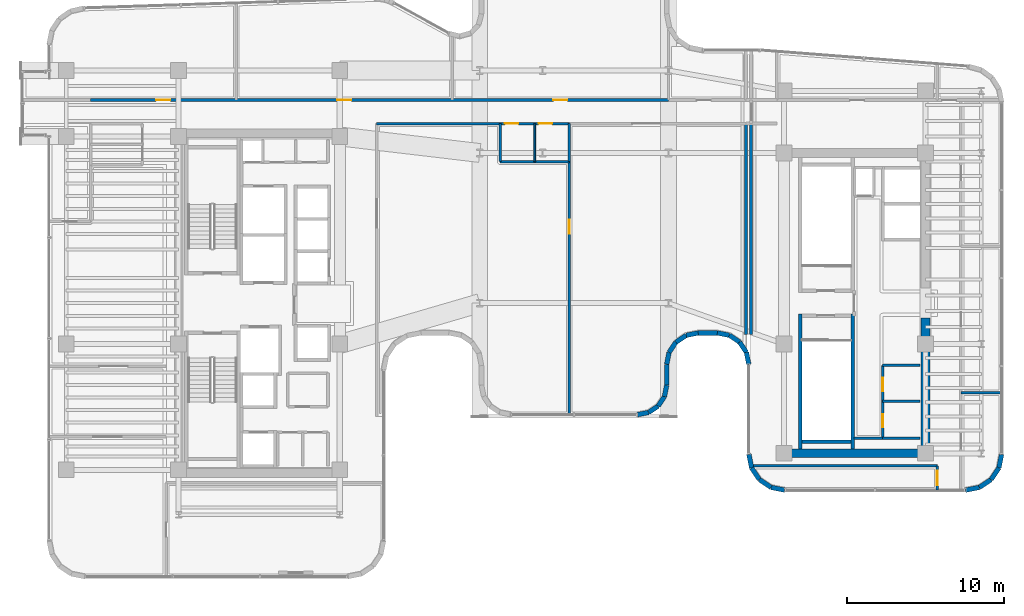
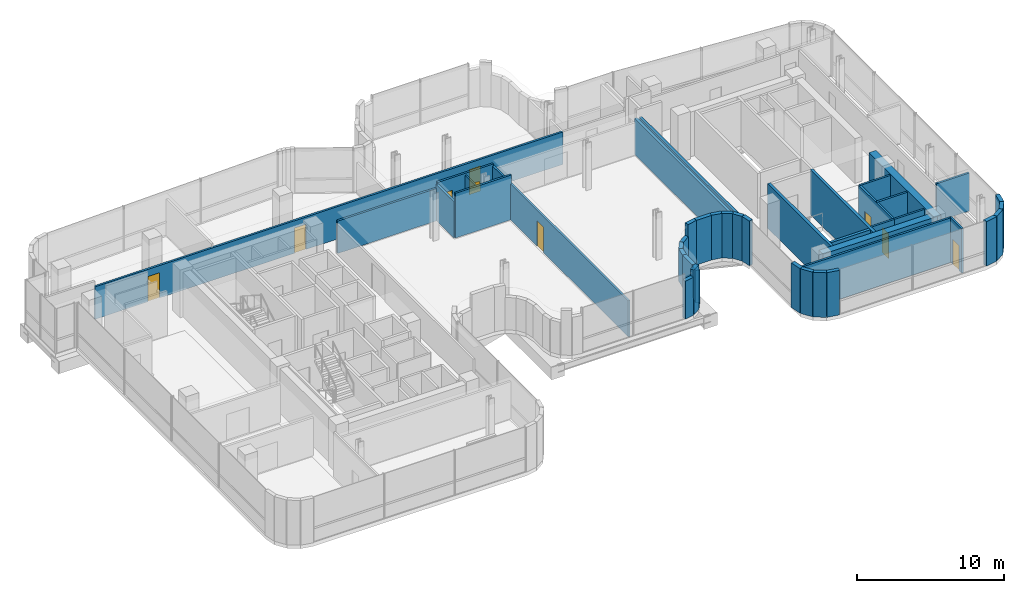
# One storey, part 29 of 35: 45 walls, 9 doors, 9 openings.
"""IFC4 building model written with IfcOpenShell, lengths in metres."""

import ifcopenshell
import ifcopenshell.guid

model = None  # the IFC model being written
_history = None  # IfcOwnerHistory: only IFC2X3 demands one
_inside = {}  # id of a spatial element -> (the spatial element, [elements in it])
_under = {}  # id of a project, library or spatial element -> (it, [spatial elements below it])
_declared = {}  # id of a project -> (the project, [libraries it declares])
_typed = {}  # id of a type object -> (the type object, [elements of that type])
_made_of = {}  # id of a material, layer set ... -> (it, [elements and type objects made of it])


def new_model(schema):
    """Start an empty IFC model of exactly this schema.

    Asked for "IFC4X3", IfcOpenShell would pick the latest addendum, in which some entities
    have other attributes; the version numbers below select the first issue.
    IFC2X3 requires an IfcOwnerHistory on every rooted entity: one is made here for all.
    """
    global model, _history
    if schema == "IFC4X3":
        model = ifcopenshell.file(schema_version=(4, 3, 0, 0))
    else:
        model = ifcopenshell.file(schema=schema)
    _inside.clear()
    _under.clear()
    _declared.clear()
    _typed.clear()
    _made_of.clear()
    _history = None
    if model.schema == "IFC2X3":
        org = make("IfcOrganization", Name="unknown")
        user = make(
            "IfcPersonAndOrganization",
            ThePerson=make("IfcPerson", FamilyName="unknown"),
            TheOrganization=org,
        )
        app = make(
            "IfcApplication",
            ApplicationDeveloper=org,
            Version="unknown",
            ApplicationFullName="unknown",
            ApplicationIdentifier="unknown",
        )
        _history = make(
            "IfcOwnerHistory",
            OwningUser=user,
            OwningApplication=app,
            ChangeAction="ADDED",
            CreationDate=0,
        )
    return model


def make(cls, **values):
    """One entity of the class cls with the attributes given. An attribute that is None is left unset."""
    return model.create_entity(
        cls, **{name: value for name, value in values.items() if value is not None}
    )


def rooted(cls, **values):
    """An entity with a GlobalId (a new one), such as an element, a storey or a relation."""
    return make(cls, GlobalId=ifcopenshell.guid.new(), OwnerHistory=_history, **values)


def si_unit(unit_type, name, prefix=None):
    """IfcSIUnit, for example si_unit("LENGTHUNIT", "METRE", prefix="MILLI")."""
    return make("IfcSIUnit", UnitType=unit_type, Prefix=prefix, Name=name)


def assignment(units):
    """IfcUnitAssignment: the units of a project."""
    return None if units is None else make("IfcUnitAssignment", Units=units)


def point(xyz):
    """IfcCartesianPoint."""
    return None if xyz is None else make("IfcCartesianPoint", Coordinates=xyz)


def direction(xyz):
    """IfcDirection."""
    return None if xyz is None else make("IfcDirection", DirectionRatios=xyz)


def frame(location, z_axis=None, x_axis=None):
    """IfcAxis2Placement3D, a coordinate frame: its origin and axes. An axis left out is left unset."""
    return make(
        "IfcAxis2Placement3D",
        Location=point(location),
        Axis=direction(z_axis),
        RefDirection=direction(x_axis),
    )


def frame_2d(location, x_axis=None):
    """IfcAxis2Placement2D, a coordinate frame in the plane: its origin and x axis."""
    return make(
        "IfcAxis2Placement2D", Location=point(location), RefDirection=direction(x_axis)
    )


def origin():
    """The frame at (0, 0, 0) with its axes left unset."""
    return frame((0.0, 0.0, 0.0))


def place(relative_to, where):
    """IfcLocalPlacement: puts the frame where relative to a parent placement (None: the world)."""
    return make(
        "IfcLocalPlacement", PlacementRelTo=relative_to, RelativePlacement=where
    )


def context(
    kind, dimensions, precision=None, world=None, true_north=None, identifier=None
):
    """IfcGeometricRepresentationContext, for example the 3D "Model" context."""
    return make(
        "IfcGeometricRepresentationContext",
        ContextIdentifier=identifier,
        ContextType=kind,
        CoordinateSpaceDimension=dimensions,
        Precision=precision,
        WorldCoordinateSystem=world,
        TrueNorth=true_north,
    )


def subcontext(parent, identifier, kind, view, scale=None):
    """IfcGeometricRepresentationSubContext, for example "Body" below "Model"."""
    return make(
        "IfcGeometricRepresentationSubContext",
        ContextIdentifier=identifier,
        ContextType=kind,
        ParentContext=parent,
        TargetScale=scale,
        TargetView=view,
    )


def project(units=None, contexts=None):
    """IfcProject with its units and contexts."""
    return rooted(
        "IfcProject",
        Name="project",
        RepresentationContexts=contexts,
        UnitsInContext=assignment(units),
    )


def spatial(cls, under=None, at=None, **own):
    """A site, building, storey or space (cls), placed at a placement, below another one or the project."""
    s = rooted(cls, ObjectPlacement=at, **own)
    if under is not None:
        _under.setdefault(under.id(), (under, []))[1].append(s)
    return s


def profile(cls, at=None, kind="AREA", **sizes):
    """A parametric profile (cls). Its sizes go by their IFC names, for example OverallWidth=200.0."""
    return make(cls, ProfileType=kind, Position=at, **sizes)


def rectangle(**sizes):
    """IfcRectangleProfileDef."""
    return profile("IfcRectangleProfileDef", **sizes)


def extrude(swept, where, along, depth):
    """IfcExtrudedAreaSolid: the profile swept, set in the frame where, extruded along a direction by depth."""
    return make(
        "IfcExtrudedAreaSolid",
        SweptArea=swept,
        Position=where,
        ExtrudedDirection=direction(along),
        Depth=depth,
    )


def shape(context_of_items, identifier, shape_type, items):
    """IfcShapeRepresentation: the items that make up one representation, for example the "Body"."""
    return make(
        "IfcShapeRepresentation",
        ContextOfItems=context_of_items,
        RepresentationIdentifier=identifier,
        RepresentationType=shape_type,
        Items=items,
    )


def material(Name=None, Category=None):
    """IfcMaterial."""
    return make("IfcMaterial", Name=Name, Category=Category)


def layer(
    of_material, thickness, ventilated=None, Name=None, Category=None, Priority=None
):
    """IfcMaterialLayer: one layer of a wall or slab, of a material (None: an air gap)."""
    return make(
        "IfcMaterialLayer",
        Material=of_material,
        LayerThickness=thickness,
        IsVentilated=ventilated,
        Name=Name,
        Category=Category,
        Priority=Priority,
    )


def layer_set(layers, Name=None):
    """IfcMaterialLayerSet."""
    return make("IfcMaterialLayerSet", MaterialLayers=layers, LayerSetName=Name)


def made_of(thing, what):
    """Note that an element or type object is made of a material, layer set ...; save() writes the relation."""
    if what is not None:
        _made_of.setdefault(what.id(), (what, []))[1].append(thing)
    return thing


def type_object(cls, material=None, **own):
    """A type object (cls), such as IfcWallType, which elements share."""
    return made_of(rooted(cls, **own), material)


def element(
    cls,
    number,
    at=None,
    inside=None,
    cuts=None,
    type_object=None,
    material=None,
    context=None,
    identifier="Body",
    shape_type=None,
    held_by="IfcProductDefinitionShape",
    body=None,
    shapes=None,
    **own,
):
    """One element of the class cls, such as IfcWall. Its Tag is "e" and its number.

    at: its placement. inside: the storey or other place that contains it. cuts: it is an
    opening in that element (IfcRelVoidsElement). A single representation is given by context,
    identifier, shape_type and body (its items); several are given by shapes. held_by: the class
    of the entity that holds the representations. save() writes the other relations.
    """
    e = rooted(cls, Tag="e%d" % number, ObjectPlacement=at, **own)
    if body is not None:
        shapes = [shape(context, identifier, shape_type, body)]
    if shapes is not None:
        e.Representation = make(held_by, Representations=shapes)
    if inside is not None:
        _inside.setdefault(inside.id(), (inside, []))[1].append(e)
    if cuts is not None:
        rooted(
            "IfcRelVoidsElement", RelatingBuildingElement=cuts, RelatedOpeningElement=e
        )
    if type_object is not None:
        _typed.setdefault(type_object.id(), (type_object, []))[1].append(e)
    return made_of(e, material)


def fill(opening, filler):
    """IfcRelFillsElement: the door or window that sits in an opening."""
    return rooted(
        "IfcRelFillsElement",
        RelatingOpeningElement=opening,
        RelatedBuildingElement=filler,
    )


def aggregate(whole, parts):
    """IfcRelAggregates: a whole, such as a stair, and the parts it consists of."""
    return rooted("IfcRelAggregates", RelatingObject=whole, RelatedObjects=parts)


def save(model, path):
    """Write the relations noted so far, then the file.

    IfcRelAggregates (storeys below a building ...), IfcRelContainedInSpatialStructure (elements
    in a storey), IfcRelDefinesByType, IfcRelAssociatesMaterial and IfcRelDeclares: one each for
    every whole, place, type object, material and project.
    """
    for whole, parts in _under.values():
        aggregate(whole, parts)
    for where, things in _inside.values():
        rooted(
            "IfcRelContainedInSpatialStructure",
            RelatedElements=things,
            RelatingStructure=where,
        )
    for kind, things in _typed.values():
        rooted("IfcRelDefinesByType", RelatedObjects=things, RelatingType=kind)
    for what, things in _made_of.values():
        rooted("IfcRelAssociatesMaterial", RelatedObjects=things, RelatingMaterial=what)
    for by, libraries in _declared.values():
        rooted("IfcRelDeclares", RelatingContext=by, RelatedDefinitions=libraries)
    model.write(path)


model = new_model("IFC4")

# Units and contexts
model_context = context("Model", 3, precision=1e-05, world=origin(), true_north=direction((0.0, 1.0)))
body_context = subcontext(model_context, "Body", "Model", "MODEL_VIEW")
ifc_project = project(units=[si_unit("LENGTHUNIT", "METRE"), si_unit("AREAUNIT", "SQUARE_METRE"), si_unit("VOLUMEUNIT", "CUBIC_METRE"), si_unit("PLANEANGLEUNIT", "RADIAN"), si_unit("MASSUNIT", "GRAM", prefix="KILO")], contexts=[model_context])

# Site, building, storey
site_placement = place(None, origin())
site = spatial("IfcSite", under=ifc_project, at=site_placement, CompositionType="ELEMENT")
building_placement = place(site_placement, origin())
building = spatial("IfcBuilding", under=site, at=building_placement, Name="Valdorenza Pilgrim Sanctuary Tower", CompositionType="ELEMENT")
storey_placement = place(building_placement, frame((0.0, 0.0, 192.35009765625)))
storey = spatial("IfcBuildingStorey", under=building, at=storey_placement, Name="L49", CompositionType="ELEMENT", Elevation=192.35009765625)

# Wall
ifc_material_1 = material(Name="Acoustic twin-stud gypsum partition", Category="gypsum")
ifc_layer_1 = layer(ifc_material_1, 0.159912109375, Name="Acoustic twin-stud gypsum partition")
ifc_layer_set_1 = layer_set([ifc_layer_1], Name="Acoustic twin-stud gypsum partition")
wall_type_1 = type_object("IfcWallType", Name="WAL-COR-160", PredefinedType="PARTITIONING", material=ifc_layer_set_1)
wall_1_placement = place(storey_placement, frame((20.300048828125, -8.60009765625, 0.0), z_axis=(0.0, 0.0, 1.0), x_axis=(1.0, 0.0, 0.0)))
element("IfcWall", 1, at=wall_1_placement, inside=storey, type_object=wall_type_1, Name="L49 Core B Lift Hall South End Wall", PredefinedType="PARTITIONING", context=body_context, shape_type="SweptSolid", body=[
    extrude(rectangle(XDim=1.820068359375, YDim=0.159912109375, at=frame_2d((0.91015625, 0.0))), origin(), (0.0, 0.0, 1.0), 3.7099609375),
])

# Wall, openings, doors
wall_2_placement = place(storey_placement, frame((22.1201171875, -8.60009765625, 0.0), z_axis=(0.0, 0.0, 1.0), x_axis=(0.0, 1.0, 0.0)))
wall_2 = element("IfcWall", 2, at=wall_2_placement, inside=storey, type_object=wall_type_1, Name="L49 Core B Freed Shaft West Wall", PredefinedType="PARTITIONING", context=body_context, shape_type="SweptSolid", body=[
    extrude(rectangle(XDim=4.650146484375, YDim=0.159912109375, at=frame_2d((2.3251953125, 0.0))), origin(), (0.0, 0.0, 1.0), 3.7099609375),
])
opening_1_placement = place(wall_2_placement, frame((0.699951171875, 0.0, 0.0)))
opening_1 = element("IfcOpeningElement", 3, at=opening_1_placement, cuts=wall_2, Name="Opening DR-RS1", PredefinedType="OPENING", context=body_context, shape_type="SweptSolid", body=[
    extrude(rectangle(XDim=0.85009765625, YDim=2.050048828125, at=frame_2d((0.425048828125, 1.02490234375))), frame((0.0, 0.0947265625, 0.0), z_axis=(0.0, -1.0, 0.0), x_axis=(1.0, 0.0, 0.0)), (0.0, 0.0, 1.0), 0.189697265625),
])
opening_2_placement = place(wall_2_placement, frame((3.0, 0.0, 0.0)))
opening_2 = element("IfcOpeningElement", 4, at=opening_2_placement, cuts=wall_2, Name="Opening DR-RS1", PredefinedType="OPENING", context=body_context, shape_type="SweptSolid", body=[
    extrude(rectangle(XDim=0.85009765625, YDim=2.050048828125, at=frame_2d((0.425048828125, 1.02490234375))), frame((0.0, 0.0947265625, 0.0), z_axis=(0.0, -1.0, 0.0), x_axis=(1.0, 0.0, 0.0)), (0.0, 0.0, 1.0), 0.189697265625),
])
ifc_material_2 = material(Name="Painted galvanized steel", Category="steel")
door_type_1 = type_object("IfcDoorType", Name="DR-RSR-850", OperationType="NOTDEFINED", PredefinedType="DOOR", material=ifc_material_2)
door_1_placement = place(opening_1_placement, origin())
door_1 = element("IfcDoor", 5, at=door_1_placement, inside=storey, type_object=door_type_1, Name="L49 East Core Housekeeping Store Door", OperationType="SINGLE_SWING_LEFT", OverallHeight=2.050048828125, OverallWidth=0.85009765625, PredefinedType="DOOR", context=body_context, shape_type="SweptSolid", body=[
    extrude(rectangle(XDim=0.85009765625, YDim=2.050048828125, at=frame_2d((0.425048828125, 1.02490234375))), frame((0.0, 0.02490234375, 0.0), z_axis=(0.0, -1.0, 0.0), x_axis=(1.0, 0.0, 0.0)), (0.0, 0.0, 1.0), 0.050048828125),
])
fill(opening_1, door_1)
door_2_placement = place(opening_2_placement, origin())
door_2 = element("IfcDoor", 6, at=door_2_placement, inside=storey, type_object=door_type_1, Name="L49 East Core Tea Pantry Door", OperationType="SINGLE_SWING_RIGHT", OverallHeight=2.050048828125, OverallWidth=0.85009765625, PredefinedType="DOOR", context=body_context, shape_type="SweptSolid", body=[
    extrude(rectangle(XDim=0.85009765625, YDim=2.050048828125, at=frame_2d((0.425048828125, 1.02490234375))), frame((0.0, 0.02490234375, 0.0), z_axis=(0.0, -1.0, 0.0), x_axis=(1.0, 0.0, 0.0)), (0.0, 0.0, 1.0), 0.050048828125),
])
fill(opening_2, door_2)

# Wall
wall_3_placement = place(storey_placement, frame((22.1201171875, -6.25, 0.0), z_axis=(0.0, 0.0, 1.0), x_axis=(1.0, 0.0, 0.0)))
element("IfcWall", 7, at=wall_3_placement, inside=storey, type_object=wall_type_1, Name="L49 Core B Freed Split", PredefinedType="PARTITIONING", context=body_context, shape_type="SweptSolid", body=[
    extrude(rectangle(XDim=2.3798828125, YDim=0.159912109375, at=frame_2d((1.18994140625, 0.0))), origin(), (0.0, 0.0, 1.0), 3.7099609375),
])

# Wall, openings, doors
wall_4_placement = place(storey_placement, frame((-28.25, 12.919921875, 0.0), z_axis=(0.0, 0.0, 1.0), x_axis=(1.0, 0.0, 0.0)))
wall_4 = element("IfcWall", 8, at=wall_4_placement, inside=storey, type_object=wall_type_1, Name="L49 North Corridor Wall", PredefinedType="PARTITIONING", context=body_context, shape_type="SweptSolid", body=[
    extrude(rectangle(XDim=36.75, YDim=0.159912109375, at=frame_2d((18.375, 0.0))), origin(), (0.0, 0.0, 1.0), 2.69482421875),
])
opening_3_placement = place(wall_4_placement, frame((4.177978515625, 0.0, 0.0)))
opening_3 = element("IfcOpeningElement", 9, at=opening_3_placement, cuts=wall_4, Name="Opening DR-RM1", PredefinedType="OPENING", context=body_context, shape_type="SweptSolid", body=[
    extrude(rectangle(XDim=0.89990234375, YDim=2.10009765625, at=frame_2d((0.449951171875, 1.050048828125))), frame((0.0, 0.0947265625, 0.0), z_axis=(0.0, -1.0, 0.0), x_axis=(1.0, 0.0, 0.0)), (0.0, 0.0, 1.0), 0.189697265625),
])
opening_4_placement = place(wall_4_placement, frame((15.679931640625, 0.0, 0.0)))
opening_4 = element("IfcOpeningElement", 10, at=opening_4_placement, cuts=wall_4, Name="Opening DR-RM1", PredefinedType="OPENING", context=body_context, shape_type="SweptSolid", body=[
    extrude(rectangle(XDim=0.89990234375, YDim=2.10009765625, at=frame_2d((0.449951171875, 1.050048828125))), frame((0.0, 0.0947265625, 0.0), z_axis=(0.0, -1.0, 0.0), x_axis=(1.0, 0.0, 0.0)), (0.0, 0.0, 1.0), 0.189697265625),
])
opening_5_placement = place(wall_4_placement, frame((29.427001953125, 0.0, 0.0)))
opening_5 = element("IfcOpeningElement", 11, at=opening_5_placement, cuts=wall_4, Name="Opening DR-RM1", PredefinedType="OPENING", context=body_context, shape_type="SweptSolid", body=[
    extrude(rectangle(XDim=0.89990234375, YDim=2.10009765625, at=frame_2d((0.449951171875, 1.050048828125))), frame((0.0, 0.0947265625, 0.0), z_axis=(0.0, -1.0, 0.0), x_axis=(1.0, 0.0, 0.0)), (0.0, 0.0, 1.0), 0.189697265625),
])
ifc_material_3 = material(Name="Solid-core European oak timber", Category="wood")
door_type_2 = type_object("IfcDoorType", Name="DR-ROOM-900", OperationType="NOTDEFINED", PredefinedType="DOOR", material=ifc_material_3)
door_3_placement = place(opening_3_placement, frame((0.89990234375, 0.0, 0.0), z_axis=(0.0, 0.0, 1.0), x_axis=(-1.0, 0.0, 0.0)))
door_3 = element("IfcDoor", 12, at=door_3_placement, inside=storey, type_object=door_type_2, Name="L49 Private Banquet Dining Room L49-N1 Door", OperationType="SINGLE_SWING_LEFT", OverallHeight=2.10009765625, OverallWidth=0.89990234375, PredefinedType="DOOR", context=body_context, shape_type="SweptSolid", body=[
    extrude(rectangle(XDim=0.89990234375, YDim=2.10009765625, at=frame_2d((0.449951171875, 1.050048828125))), frame((0.0, 0.02490234375, 0.0), z_axis=(0.0, -1.0, 0.0), x_axis=(1.0, 0.0, 0.0)), (0.0, 0.0, 1.0), 0.050048828125),
])
fill(opening_3, door_3)
door_4_placement = place(opening_4_placement, origin())
door_4 = element("IfcDoor", 13, at=door_4_placement, inside=storey, type_object=door_type_2, Name="L49 Private Banquet Dining Room L49-N2 Door", OperationType="SINGLE_SWING_RIGHT", OverallHeight=2.10009765625, OverallWidth=0.89990234375, PredefinedType="DOOR", context=body_context, shape_type="SweptSolid", body=[
    extrude(rectangle(XDim=0.89990234375, YDim=2.10009765625, at=frame_2d((0.449951171875, 1.050048828125))), frame((0.0, 0.02490234375, 0.0), z_axis=(0.0, -1.0, 0.0), x_axis=(1.0, 0.0, 0.0)), (0.0, 0.0, 1.0), 0.050048828125),
])
fill(opening_4, door_4)
door_5_placement = place(opening_5_placement, frame((0.89990234375, 0.0, 0.0), z_axis=(0.0, 0.0, 1.0), x_axis=(-1.0, 0.0, 0.0)))
door_5 = element("IfcDoor", 14, at=door_5_placement, inside=storey, type_object=door_type_2, Name="L49 Private Banquet Dining Room L49-N3 Door", OperationType="SINGLE_SWING_LEFT", OverallHeight=2.10009765625, OverallWidth=0.89990234375, PredefinedType="DOOR", context=body_context, shape_type="SweptSolid", body=[
    extrude(rectangle(XDim=0.89990234375, YDim=2.10009765625, at=frame_2d((0.449951171875, 1.050048828125))), frame((0.0, 0.02490234375, 0.0), z_axis=(0.0, -1.0, 0.0), x_axis=(1.0, 0.0, 0.0)), (0.0, 0.0, 1.0), 0.050048828125),
])
fill(opening_5, door_5)

# Walls
wall_5_placement = place(storey_placement, frame((-10.050048828125, 11.419921875, 0.0), z_axis=(0.0, 0.0, 1.0), x_axis=(1.0, 0.0, 0.0)))
element("IfcWall", 15, at=wall_5_placement, inside=storey, type_object=wall_type_1, Name="L49 Prayer Hall North-West Corridor Wall", PredefinedType="PARTITIONING", context=body_context, shape_type="SweptSolid", body=[
    extrude(rectangle(XDim=7.85009765625, YDim=0.159912109375, at=frame_2d((3.925048828125, 0.0))), origin(), (0.0, 0.0, 1.0), 2.69482421875),
])
for number, where, z_axis, x_axis, name in (
    (16, (-2.199951171875, 9.0, 0.0), (0.0, 0.0, 1.0), (0.0, 1.0, 0.0), "L49 Washroom West Wall"),
    (17, (2.199951171875, 9.0, 0.0), (0.0, 0.0, 1.0), (0.0, 1.0, 0.0), "L49 Washroom East Wall"),
):
    element("IfcWall", number, at=place(storey_placement, frame(where, z_axis=z_axis, x_axis=x_axis)), inside=storey, type_object=wall_type_1, Name=name, PredefinedType="PARTITIONING", context=body_context, shape_type="SweptSolid", body=[
        extrude(rectangle(XDim=2.419921875, YDim=0.159912109375, at=frame_2d((1.2099609375, 0.0))), origin(), (0.0, 0.0, 1.0), 2.993896484375),
    ])
wall_6_placement = place(storey_placement, frame((-2.199951171875, 9.0, 0.0), z_axis=(0.0, 0.0, 1.0), x_axis=(1.0, 0.0, 0.0)))
element("IfcWall", 18, at=wall_6_placement, inside=storey, type_object=wall_type_1, Name="L49 Washroom South Wall", PredefinedType="PARTITIONING", context=body_context, shape_type="SweptSolid", body=[
    extrude(rectangle(XDim=4.39990234375, YDim=0.159912109375, at=frame_2d((2.199951171875, 0.0))), origin(), (0.0, 0.0, 1.0), 3.7099609375),
])

# Wall, openings, doors
wall_7_placement = place(storey_placement, frame((-2.199951171875, 11.419921875, 0.0), z_axis=(0.0, 0.0, 1.0), x_axis=(1.0, 0.0, 0.0)))
wall_7 = element("IfcWall", 19, at=wall_7_placement, inside=storey, type_object=wall_type_1, Name="L49 Washroom North Wall", PredefinedType="PARTITIONING", context=body_context, shape_type="SweptSolid", body=[
    extrude(rectangle(XDim=4.39990234375, YDim=0.159912109375, at=frame_2d((2.199951171875, 0.0))), origin(), (0.0, 0.0, 1.0), 3.156005859375),
])
opening_6_placement = place(wall_7_placement, frame((0.300048828125, 0.0, 0.0)))
opening_6 = element("IfcOpeningElement", 20, at=opening_6_placement, cuts=wall_7, Name="Opening DR-WC1", PredefinedType="OPENING", context=body_context, shape_type="SweptSolid", body=[
    extrude(rectangle(XDim=0.85009765625, YDim=2.10009765625, at=frame_2d((0.425048828125, 1.050048828125))), frame((0.0, 0.0947265625, 0.0), z_axis=(0.0, -1.0, 0.0), x_axis=(1.0, 0.0, 0.0)), (0.0, 0.0, 1.0), 0.189697265625),
])
opening_7_placement = place(wall_7_placement, frame((2.449951171875, 0.0, 0.0)))
opening_7 = element("IfcOpeningElement", 21, at=opening_7_placement, cuts=wall_7, Name="Opening DR-WC1", PredefinedType="OPENING", context=body_context, shape_type="SweptSolid", body=[
    extrude(rectangle(XDim=0.85009765625, YDim=2.10009765625, at=frame_2d((0.425048828125, 1.050048828125))), frame((0.0, 0.0947265625, 0.0), z_axis=(0.0, -1.0, 0.0), x_axis=(1.0, 0.0, 0.0)), (0.0, 0.0, 1.0), 0.189697265625),
])
ifc_material_4 = material(Name="Moisture-resistant lacquered timber", Category="wood")
door_type_3 = type_object("IfcDoorType", Name="DR-BATH-850", OperationType="NOTDEFINED", PredefinedType="DOOR", material=ifc_material_4)
door_6_placement = place(opening_6_placement, origin())
door_6 = element("IfcDoor", 22, at=door_6_placement, inside=storey, type_object=door_type_3, Name="L49 Accessible Washroom Door", OperationType="SINGLE_SWING_LEFT", OverallHeight=2.10009765625, OverallWidth=0.85009765625, PredefinedType="DOOR", context=body_context, shape_type="SweptSolid", body=[
    extrude(rectangle(XDim=0.85009765625, YDim=2.10009765625, at=frame_2d((0.425048828125, 1.050048828125))), frame((0.0, 0.02490234375, 0.0), z_axis=(0.0, -1.0, 0.0), x_axis=(1.0, 0.0, 0.0)), (0.0, 0.0, 1.0), 0.050048828125),
])
fill(opening_6, door_6)
door_7_placement = place(opening_7_placement, origin())
door_7 = element("IfcDoor", 23, at=door_7_placement, inside=storey, type_object=door_type_3, Name="L49 Public Washroom Door", OperationType="SINGLE_SWING_RIGHT", OverallHeight=2.10009765625, OverallWidth=0.85009765625, PredefinedType="DOOR", context=body_context, shape_type="SweptSolid", body=[
    extrude(rectangle(XDim=0.85009765625, YDim=2.10009765625, at=frame_2d((0.425048828125, 1.050048828125))), frame((0.0, 0.02490234375, 0.0), z_axis=(0.0, -1.0, 0.0), x_axis=(1.0, 0.0, 0.0)), (0.0, 0.0, 1.0), 0.050048828125),
])
fill(opening_7, door_7)

# Wall, opening, door
wall_8_placement = place(storey_placement, frame((25.60009765625, -11.889892578125, 0.0), z_axis=(0.0, 0.0, 1.0), x_axis=(0.0, 1.0, 0.0)))
wall_8 = element("IfcWall", 24, at=wall_8_placement, inside=storey, type_object=wall_type_1, Name="L49 Wing B South-East Wall", PredefinedType="PARTITIONING", context=body_context, shape_type="SweptSolid", body=[
    extrude(rectangle(XDim=1.539794921875, YDim=0.159912109375, at=frame_2d((0.77001953125, 0.0))), origin(), (0.0, 0.0, 1.0), 3.7099609375),
])
opening_8_placement = place(wall_8_placement, frame((0.320068359375, 0.0, 0.0)))
opening_8 = element("IfcOpeningElement", 25, at=opening_8_placement, cuts=wall_8, Name="Opening DR-RM1", PredefinedType="OPENING", context=body_context, shape_type="SweptSolid", body=[
    extrude(rectangle(XDim=0.89990234375, YDim=2.10009765625, at=frame_2d((0.449951171875, 1.050048828125))), frame((0.0, 0.0947265625, 0.0), z_axis=(0.0, -1.0, 0.0), x_axis=(1.0, 0.0, 0.0)), (0.0, 0.0, 1.0), 0.189697265625),
])
door_8_placement = place(opening_8_placement, frame((0.89990234375, 0.0, 0.0), z_axis=(0.0, 0.0, 1.0), x_axis=(-1.0, 0.0, 0.0)))
door_8 = element("IfcDoor", 26, at=door_8_placement, inside=storey, type_object=door_type_2, Name="L49 Sacred Manuscript Archive L49-BS Door", OperationType="SINGLE_SWING_LEFT", OverallHeight=2.10009765625, OverallWidth=0.89990234375, PredefinedType="DOOR", context=body_context, shape_type="SweptSolid", body=[
    extrude(rectangle(XDim=0.89990234375, YDim=2.10009765625, at=frame_2d((0.449951171875, 1.050048828125))), frame((0.0, 0.02490234375, 0.0), z_axis=(0.0, -1.0, 0.0), x_axis=(1.0, 0.0, 0.0)), (0.0, 0.0, 1.0), 0.050048828125),
])
fill(opening_8, door_8)

# Walls
wall_9_placement = place(storey_placement, frame((13.888916015625, -10.35009765625, 0.0), z_axis=(0.0, 0.0, 1.0), x_axis=(1.0, 0.0, 0.0)))
element("IfcWall", 27, at=wall_9_placement, inside=storey, type_object=wall_type_1, Name="L49 Wing B South Closure", PredefinedType="PARTITIONING", context=body_context, shape_type="SweptSolid", body=[
    extrude(rectangle(XDim=11.711181640625, YDim=0.159912109375, at=frame_2d((5.85546875, 0.0))), origin(), (0.0, 0.0, 1.0), 3.7099609375),
])
ifc_material_5 = material(Name="Concrete C50/60", Category="concrete")
ifc_layer_2 = layer(ifc_material_5, 0.550048828125, Name="Concrete C50/60")
ifc_layer_set_2 = layer_set([ifc_layer_2], Name="Concrete C50/60")
wall_type_2 = type_object("IfcWallType", Name="WAL-COR-550", PredefinedType="SHEAR", material=ifc_layer_set_2)
wall_10_placement = place(storey_placement, frame((24.85009765625, -9.824951171875, 0.0), z_axis=(0.0, 0.0, 1.0), x_axis=(0.0, 1.0, 0.0)))
element("IfcWall", 28, at=wall_10_placement, inside=storey, type_object=wall_type_2, Name="L49 Split Core B Shear Wall ES", PredefinedType="SHEAR", context=body_context, shape_type="SweptSolid", body=[
    extrude(rectangle(XDim=8.875, YDim=0.550048828125, at=frame_2d((4.4375, 0.0))), origin(), (0.0, 0.0, 1.0), 3.7099609375),
])
wall_11_placement = place(storey_placement, frame((15.85009765625, -9.550048828125, 0.0), z_axis=(0.0, 0.0, 1.0), x_axis=(1.0, 0.0, 0.0)))
element("IfcWall", 29, at=wall_11_placement, inside=storey, type_object=wall_type_2, Name="L49 Split Core B Shear Wall S", PredefinedType="SHEAR", context=body_context, shape_type="SweptSolid", body=[
    extrude(rectangle(XDim=9.0, YDim=0.550048828125, at=frame_2d((4.5, 0.0))), origin(), (0.0, 0.0, 1.0), 3.7099609375),
])
ifc_material_6 = material(Name="Honed travertine limestone", Category="masonry")
ifc_layer_3 = layer(ifc_material_6, 0.300048828125, Name="Honed travertine limestone")
ifc_layer_set_3 = layer_set([ifc_layer_3], Name="Honed travertine limestone")
wall_type_3 = type_object("IfcWallType", Name="WAL-EXT-300", PredefinedType="SOLIDWALL", material=ifc_layer_set_3)
wall_12_placement = place(storey_placement, frame((29.68994140625, -9.589111328125, 0.0), z_axis=(0.0, 0.0, 1.0), x_axis=(-0.195025152871, -0.980798241101, 0.0)))
element("IfcWall", 30, at=wall_12_placement, inside=storey, type_object=wall_type_3, Name="L49 Rounded Wind-Corner Stone Pier 38", PredefinedType="SOLIDWALL", context=body_context, shape_type="SweptSolid", body=[
    extrude(rectangle(XDim=0.90380859375, YDim=0.300048828125, at=frame_2d((0.451904296875, 0.0))), origin(), (0.0, 0.0, 1.0), 3.7099609375),
])
wall_13_placement = place(storey_placement, frame((29.513671875, -10.4755859375, 0.0), z_axis=(0.0, 0.0, 1.0), x_axis=(-0.555520488502, -0.831502848374, 0.0)))
element("IfcWall", 31, at=wall_13_placement, inside=storey, type_object=wall_type_3, Name="L49 Rounded Wind-Corner Stone Pier 39", PredefinedType="SOLIDWALL", context=body_context, shape_type="SweptSolid", body=[
    extrude(rectangle(XDim=0.892578125, YDim=0.300048828125, at=frame_2d((0.4462890625, 0.0))), origin(), (0.0, 0.0, 1.0), 3.7099609375),
])
wall_14_placement = place(storey_placement, frame((29.017822265625, -11.2177734375, 0.0), z_axis=(0.0, 0.0, 1.0), x_axis=(-0.83158722889, -0.555394167009, 0.0)))
element("IfcWall", 32, at=wall_14_placement, inside=storey, type_object=wall_type_3, Name="L49 Rounded Wind-Corner Stone Pier 40", PredefinedType="SOLIDWALL", context=body_context, shape_type="SweptSolid", body=[
    extrude(rectangle(XDim=0.892822265625, YDim=0.300048828125, at=frame_2d((0.4462890625, 0.0))), origin(), (0.0, 0.0, 1.0), 3.7099609375),
])
wall_15_placement = place(storey_placement, frame((28.275390625, -11.713623046875, 0.0), z_axis=(0.0, 0.0, 1.0), x_axis=(-0.980787963133, -0.19507683454, 0.0)))
element("IfcWall", 33, at=wall_15_placement, inside=storey, type_object=wall_type_3, Name="L49 Rounded Wind-Corner Stone Pier 41", PredefinedType="SOLIDWALL", context=body_context, shape_type="SweptSolid", body=[
    extrude(rectangle(XDim=0.903564453125, YDim=0.300048828125, at=frame_2d((0.45166015625, 0.0))), origin(), (0.0, 0.0, 1.0), 3.7099609375),
])
wall_16_placement = place(storey_placement, frame((15.910888671875, -11.889892578125, 0.0), z_axis=(0.0, 0.0, 1.0), x_axis=(-0.980798241101, 0.195025152871, 0.0)))
element("IfcWall", 34, at=wall_16_placement, inside=storey, type_object=wall_type_3, Name="L49 Rounded Wind-Corner Stone Pier 43", PredefinedType="SOLIDWALL", context=body_context, shape_type="SweptSolid", body=[
    extrude(rectangle(XDim=0.90380859375, YDim=0.300048828125, at=frame_2d((0.451904296875, 0.0))), origin(), (0.0, 0.0, 1.0), 3.7099609375),
])
for number, where, z_axis, x_axis, name in (
    (35, (15.0244140625, -11.713623046875, 0.0), (0.0, 0.0, 1.0), (-0.831502848374, 0.555520488502, 0.0), "L49 Rounded Wind-Corner Stone Pier 44"),
    (36, (14.2822265625, -11.2177734375, 0.0), (0.0, 0.0, 1.0), (-0.555520488502, 0.831502848374, 0.0), "L49 Rounded Wind-Corner Stone Pier 45"),
):
    element("IfcWall", number, at=place(storey_placement, frame(where, z_axis=z_axis, x_axis=x_axis)), inside=storey, type_object=wall_type_3, Name=name, PredefinedType="SOLIDWALL", context=body_context, shape_type="SweptSolid", body=[
        extrude(rectangle(XDim=0.892578125, YDim=0.300048828125, at=frame_2d((0.4462890625, 0.0))), origin(), (0.0, 0.0, 1.0), 3.7099609375),
    ])
wall_17_placement = place(storey_placement, frame((13.786376953125, -10.4755859375, 0.0), z_axis=(0.0, 0.0, 1.0), x_axis=(-0.195025152871, 0.980798241101, 0.0)))
element("IfcWall", 37, at=wall_17_placement, inside=storey, type_object=wall_type_3, Name="L49 Rounded Wind-Corner Stone Pier 46", PredefinedType="SOLIDWALL", context=body_context, shape_type="SweptSolid", body=[
    extrude(rectangle(XDim=0.90380859375, YDim=0.300048828125, at=frame_2d((0.451904296875, 0.0))), origin(), (0.0, 0.0, 1.0), 3.7099609375),
])
wall_18_placement = place(storey_placement, frame((13.610107421875, -3.88916015625, 0.0), z_axis=(0.0, 0.0, 1.0), x_axis=(-0.195206365311, 0.98076219082, 0.0)))
element("IfcWall", 38, at=wall_18_placement, inside=storey, type_object=wall_type_3, Name="L49 Rounded Wind-Corner Stone Pier 48", PredefinedType="SOLIDWALL", context=body_context, shape_type="SweptSolid", body=[
    extrude(rectangle(XDim=0.774169921875, YDim=0.300048828125, at=frame_2d((0.38720703125, 0.0))), origin(), (0.0, 0.0, 1.0), 3.7099609375),
])
for number, where, z_axis, x_axis, name in (
    (39, (13.458984375, -3.1298828125, 0.0), (0.0, 0.0, 1.0), (-0.555776307766, 0.831331880615, 0.0), "L49 Rounded Wind-Corner Stone Pier 49"),
    (40, (13.022705078125, -2.477294921875, 0.0), (0.0, 0.0, 1.0), (-0.831331880615, 0.555776307766, 0.0), "L49 Rounded Wind-Corner Stone Pier 50"),
):
    element("IfcWall", number, at=place(storey_placement, frame(where, z_axis=z_axis, x_axis=x_axis)), inside=storey, type_object=wall_type_3, Name=name, PredefinedType="SOLIDWALL", context=body_context, shape_type="SweptSolid", body=[
        extrude(rectangle(XDim=0.784912109375, YDim=0.300048828125, at=frame_2d((0.392578125, 0.0))), origin(), (0.0, 0.0, 1.0), 3.7099609375),
    ])
wall_19_placement = place(storey_placement, frame((12.3701171875, -2.041015625, 0.0), z_axis=(0.0, 0.0, 1.0), x_axis=(-0.98076219082, 0.195206365311, 0.0)))
element("IfcWall", 41, at=wall_19_placement, inside=storey, type_object=wall_type_3, Name="L49 Rounded Wind-Corner Stone Pier 51", PredefinedType="SOLIDWALL", context=body_context, shape_type="SweptSolid", body=[
    extrude(rectangle(XDim=0.774169921875, YDim=0.300048828125, at=frame_2d((0.38720703125, 0.0))), origin(), (0.0, 0.0, 1.0), 3.7099609375),
])
wall_20_placement = place(storey_placement, frame((11.61083984375, -1.889892578125, 0.0), z_axis=(0.0, 0.0, 1.0), x_axis=(-1.0, 0.0, 0.0)))
element("IfcWall", 42, at=wall_20_placement, inside=storey, type_object=wall_type_3, Name="L49 Rounded Wind-Corner Stone Pier 52", PredefinedType="SOLIDWALL", context=body_context, shape_type="SweptSolid", body=[
    extrude(rectangle(XDim=1.2216796875, YDim=0.300048828125, at=frame_2d((0.61083984375, 0.0))), origin(), (0.0, 0.0, 1.0), 3.7099609375),
])
wall_21_placement = place(storey_placement, frame((10.38916015625, -1.889892578125, 0.0), z_axis=(0.0, 0.0, 1.0), x_axis=(-0.98076219082, -0.195206365311, 0.0)))
element("IfcWall", 43, at=wall_21_placement, inside=storey, type_object=wall_type_3, Name="L49 Rounded Wind-Corner Stone Pier 53", PredefinedType="SOLIDWALL", context=body_context, shape_type="SweptSolid", body=[
    extrude(rectangle(XDim=0.774169921875, YDim=0.300048828125, at=frame_2d((0.38720703125, 0.0))), origin(), (0.0, 0.0, 1.0), 3.7099609375),
])
for number, where, z_axis, x_axis, name in (
    (44, (9.6298828125, -2.041015625, 0.0), (0.0, 0.0, 1.0), (-0.831331880615, -0.555776307766, 0.0), "L49 Rounded Wind-Corner Stone Pier 54"),
    (45, (8.977294921875, -2.477294921875, 0.0), (0.0, 0.0, 1.0), (-0.555776307766, -0.831331880615, 0.0), "L49 Rounded Wind-Corner Stone Pier 55"),
):
    element("IfcWall", number, at=place(storey_placement, frame(where, z_axis=z_axis, x_axis=x_axis)), inside=storey, type_object=wall_type_3, Name=name, PredefinedType="SOLIDWALL", context=body_context, shape_type="SweptSolid", body=[
        extrude(rectangle(XDim=0.784912109375, YDim=0.300048828125, at=frame_2d((0.392578125, 0.0))), origin(), (0.0, 0.0, 1.0), 2.69482421875),
    ])
wall_22_placement = place(storey_placement, frame((8.541015625, -3.1298828125, 0.0), z_axis=(0.0, 0.0, 1.0), x_axis=(-0.195206365311, -0.98076219082, 0.0)))
element("IfcWall", 46, at=wall_22_placement, inside=storey, type_object=wall_type_3, Name="L49 Rounded Wind-Corner Stone Pier 56", PredefinedType="SOLIDWALL", context=body_context, shape_type="SweptSolid", body=[
    extrude(rectangle(XDim=0.774169921875, YDim=0.300048828125, at=frame_2d((0.38720703125, 0.0))), origin(), (0.0, 0.0, 1.0), 2.69482421875),
])
wall_23_placement = place(storey_placement, frame((8.389892578125, -3.88916015625, 0.0), z_axis=(0.0, 0.0, 1.0), x_axis=(0.0, -1.0, 0.0)))
element("IfcWall", 47, at=wall_23_placement, inside=storey, type_object=wall_type_3, Name="L49 Rounded Wind-Corner Stone Pier 57", PredefinedType="SOLIDWALL", context=body_context, shape_type="SweptSolid", body=[
    extrude(rectangle(XDim=1.323974609375, YDim=0.300048828125, at=frame_2d((0.662109375, 0.0))), origin(), (0.0, 0.0, 1.0), 2.69482421875),
])
wall_24_placement = place(storey_placement, frame((8.389892578125, -5.213134765625, 0.0), z_axis=(0.0, 0.0, 1.0), x_axis=(-0.194780446724, -0.980846867546, 0.0)))
element("IfcWall", 48, at=wall_24_placement, inside=storey, type_object=wall_type_3, Name="L49 Rounded Wind-Corner Stone Pier 58", PredefinedType="SOLIDWALL", context=body_context, shape_type="SweptSolid", body=[
    extrude(rectangle(XDim=0.73828125, YDim=0.300048828125, at=frame_2d((0.369140625, 0.0))), origin(), (0.0, 0.0, 1.0), 2.69482421875),
])
wall_25_placement = place(storey_placement, frame((8.24609375, -5.937255859375, 0.0), z_axis=(0.0, 0.0, 1.0), x_axis=(-0.555784030735, -0.83132671747, 0.0)))
element("IfcWall", 49, at=wall_25_placement, inside=storey, type_object=wall_type_3, Name="L49 Rounded Wind-Corner Stone Pier 59", PredefinedType="SOLIDWALL", context=body_context, shape_type="SweptSolid", body=[
    extrude(rectangle(XDim=0.7275390625, YDim=0.300048828125, at=frame_2d((0.36376953125, 0.0))), origin(), (0.0, 0.0, 1.0), 2.69482421875),
])
wall_26_placement = place(storey_placement, frame((7.841796875, -6.5419921875, 0.0), z_axis=(0.0, 0.0, 1.0), x_axis=(-0.831378135196, -0.555707113792, 0.0)))
element("IfcWall", 50, at=wall_26_placement, inside=storey, type_object=wall_type_3, Name="L49 Rounded Wind-Corner Stone Pier 60", PredefinedType="SOLIDWALL", context=body_context, shape_type="SweptSolid", body=[
    extrude(rectangle(XDim=0.72705078125, YDim=0.300048828125, at=frame_2d((0.363525390625, 0.0))), origin(), (0.0, 0.0, 1.0), 3.7099609375),
])
wall_27_placement = place(storey_placement, frame((7.2373046875, -6.946044921875, 0.0), z_axis=(0.0, 0.0, 1.0), x_axis=(-0.980783640462, -0.195098566376, 0.0)))
element("IfcWall", 51, at=wall_27_placement, inside=storey, type_object=wall_type_3, Name="L49 Rounded Wind-Corner Stone Pier 61", PredefinedType="SOLIDWALL", context=body_context, shape_type="SweptSolid", body=[
    extrude(rectangle(XDim=0.73828125, YDim=0.300048828125, at=frame_2d((0.369140625, 0.0))), origin(), (0.0, 0.0, 1.0), 3.156005859375),
])
ifc_material_7 = material(Name="Gypsum shaftwall partition", Category="gypsum")
ifc_layer_4 = layer(ifc_material_7, 0.199951171875, Name="Gypsum shaftwall partition")
ifc_layer_set_4 = layer_set([ifc_layer_4], Name="Gypsum shaftwall partition")
wall_type_4 = type_object("IfcWallType", Name="WAL-FFL-200", PredefinedType="PARTITIONING", material=ifc_layer_set_4)
for number, where, z_axis, x_axis, name in (
    (52, (13.419921875, -2.0, 0.0), (0.0, 0.0, 1.0), (0.0, 1.0, 0.0), "L49 Prayer Bar Joint West Wall"),
    (53, (13.760009765625, -2.0, 0.0), (0.0, 0.0, 1.0), (0.0, 1.0, 0.0), "L49 Wing B Joint East Wall"),
):
    element("IfcWall", number, at=place(storey_placement, frame(where, z_axis=z_axis, x_axis=x_axis)), inside=storey, type_object=wall_type_4, Name=name, PredefinedType="PARTITIONING", context=body_context, shape_type="SweptSolid", body=[
        extrude(rectangle(XDim=13.419921875, YDim=0.199951171875, at=frame_2d((6.7099609375, 0.0))), origin(), (0.0, 0.0, 1.0), 2.993896484375),
    ])
ifc_material_8 = material(Name="Moisture-resistant gypsum partition", Category="gypsum")
ifc_layer_5 = layer(ifc_material_8, 0.1201171875, Name="Moisture-resistant gypsum partition")
ifc_layer_set_5 = layer_set([ifc_layer_5], Name="Moisture-resistant gypsum partition")
wall_type_5 = type_object("IfcWallType", Name="WAL-INT-120", PredefinedType="PARTITIONING", material=ifc_layer_set_5)
wall_28_placement = place(storey_placement, frame((0.0, 9.0, 0.0), z_axis=(0.0, 0.0, 1.0), x_axis=(0.0, 1.0, 0.0)))
element("IfcWall", 54, at=wall_28_placement, inside=storey, type_object=wall_type_5, Name="L49 Washroom Divider Wall", PredefinedType="PARTITIONING", context=body_context, shape_type="SweptSolid", body=[
    extrude(rectangle(XDim=2.419921875, YDim=0.1201171875, at=frame_2d((1.2099609375, 0.0))), origin(), (0.0, 0.0, 1.0), 2.993896484375),
])
ifc_material_9 = material(Name="Concrete C40/50", Category="concrete")
ifc_layer_6 = layer(ifc_material_9, 0.219970703125, Name="Concrete C40/50")
ifc_layer_set_6 = layer_set([ifc_layer_6], Name="Concrete C40/50")
wall_type_6 = type_object("IfcWallType", Name="WAL-STR-SHF-220", PredefinedType="SHEAR", material=ifc_layer_set_6)
for number, where, z_axis, x_axis, name in (
    (55, (16.889892578125, -9.27490234375, 0.0), (0.0, 0.0, 1.0), (0.0, 1.0, 0.0), "L49 ST-B2 Structural Stairwell Wall W"),
    (56, (20.219970703125, -9.27490234375, 0.0), (0.0, 0.0, 1.0), (0.0, 1.0, 0.0), "L49 ST-B2 Structural Stairwell Wall E"),
):
    element("IfcWall", number, at=place(storey_placement, frame(where, z_axis=z_axis, x_axis=x_axis)), inside=storey, type_object=wall_type_6, Name=name, PredefinedType="SHEAR", context=body_context, shape_type="SweptSolid", body=[
        extrude(rectangle(XDim=8.594970703125, YDim=0.219970703125, at=frame_2d((4.29736328125, 0.0))), origin(), (0.0, 0.0, 1.0), 3.7099609375),
    ])
wall_29_placement = place(storey_placement, frame((17.0, -8.81005859375, 0.0), z_axis=(0.0, 0.0, 1.0), x_axis=(1.0, 0.0, 0.0)))
element("IfcWall", 57, at=wall_29_placement, inside=storey, type_object=wall_type_6, Name="L49 ST-B2 Structural Stairwell Wall S", PredefinedType="SHEAR", context=body_context, shape_type="SweptSolid", body=[
    extrude(rectangle(XDim=3.110107421875, YDim=0.219970703125, at=frame_2d((1.55517578125, 0.0))), origin(), (0.0, 0.0, 1.0), 3.7099609375),
])
ifc_layer_7 = layer(ifc_material_1, 0.14990234375, Name="Acoustic twin-stud gypsum partition")
ifc_layer_set_7 = layer_set([ifc_layer_7], Name="Acoustic twin-stud gypsum partition")
wall_type_7 = type_object("IfcWallType", Name="WAL-UNT-150", PredefinedType="PARTITIONING", material=ifc_layer_set_7)
for number, where, z_axis, x_axis, name in (
    (58, (22.1201171875, -3.949951171875, 0.0), (0.0, 0.0, 1.0), (1.0, 0.0, 0.0), "L49 Core B Freed Shaft North Wall"),
    (59, (22.1201171875, -8.60009765625, 0.0), (0.0, 0.0, 1.0), (1.0, 0.0, 0.0), "L49 Core B Freed Shaft South Wall"),
):
    element("IfcWall", number, at=place(storey_placement, frame(where, z_axis=z_axis, x_axis=x_axis)), inside=storey, type_object=wall_type_7, Name=name, PredefinedType="PARTITIONING", context=body_context, shape_type="SweptSolid", body=[
        extrude(rectangle(XDim=2.3798828125, YDim=0.14990234375, at=frame_2d((1.18994140625, 0.0))), origin(), (0.0, 0.0, 1.0), 3.7099609375),
    ])

# Wall, opening, door
wall_30_placement = place(storey_placement, frame((2.199951171875, -7.090087890625, 0.0), z_axis=(0.0, 0.0, 1.0), x_axis=(0.0, 1.0, 0.0)))
wall_30 = element("IfcWall", 60, at=wall_30_placement, inside=storey, type_object=wall_type_7, Name="L49 Prayer Hall East Library Split", PredefinedType="PARTITIONING", context=body_context, shape_type="SweptSolid", body=[
    extrude(rectangle(XDim=16.090087890625, YDim=0.14990234375, at=frame_2d((8.044921875, 0.0))), origin(), (0.0, 0.0, 1.0), 2.993896484375),
])
opening_9_placement = place(wall_30_placement, frame((11.5, 0.0, 0.0)))
opening_9 = element("IfcOpeningElement", 61, at=opening_9_placement, cuts=wall_30, Name="Opening DR-RM1", PredefinedType="OPENING", context=body_context, shape_type="SweptSolid", body=[
    extrude(rectangle(XDim=0.89990234375, YDim=2.10009765625, at=frame_2d((0.449951171875, 1.050048828125))), frame((0.0, 0.08984375, 0.0), z_axis=(0.0, -1.0, 0.0), x_axis=(1.0, 0.0, 0.0)), (0.0, 0.0, 1.0), 0.1796875),
])
door_9_placement = place(opening_9_placement, origin())
door_9 = element("IfcDoor", 62, at=door_9_placement, inside=storey, type_object=door_type_2, Name="L49 Prayer Hall Library Door", OperationType="SINGLE_SWING_RIGHT", OverallHeight=2.10009765625, OverallWidth=0.89990234375, PredefinedType="DOOR", context=body_context, shape_type="SweptSolid", body=[
    extrude(rectangle(XDim=0.89990234375, YDim=2.10009765625, at=frame_2d((0.449951171875, 1.050048828125))), frame((0.0, 0.02490234375, 0.0), z_axis=(0.0, -1.0, 0.0), x_axis=(1.0, 0.0, 0.0)), (0.0, 0.0, 1.0), 0.050048828125),
])
fill(opening_9, door_9)

# Wall
wall_31_placement = place(storey_placement, frame((27.10009765625, -5.693359375, 0.0), z_axis=(0.0, 0.0, 1.0), x_axis=(1.0, 0.0, 0.0)))
element("IfcWall", 63, at=wall_31_placement, inside=storey, type_object=wall_type_7, Name="L49 Private Banquet Dining Room L49-EB2 Demising Wall", PredefinedType="PARTITIONING", context=body_context, shape_type="SweptSolid", body=[
    extrude(rectangle(XDim=2.58984375, YDim=0.14990234375, at=frame_2d((1.294921875, 0.0))), origin(), (0.0, 0.0, 1.0), 3.156005859375),
])

save(model, "model.ifc")
